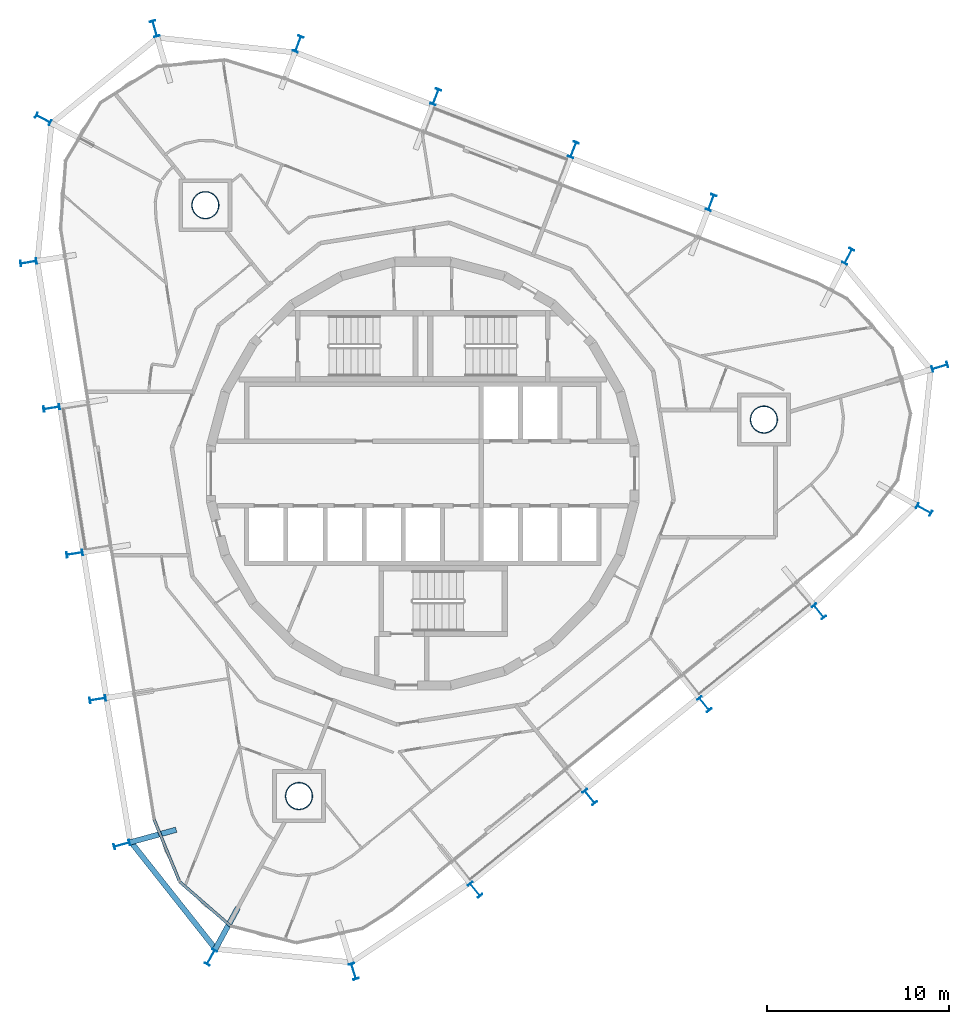
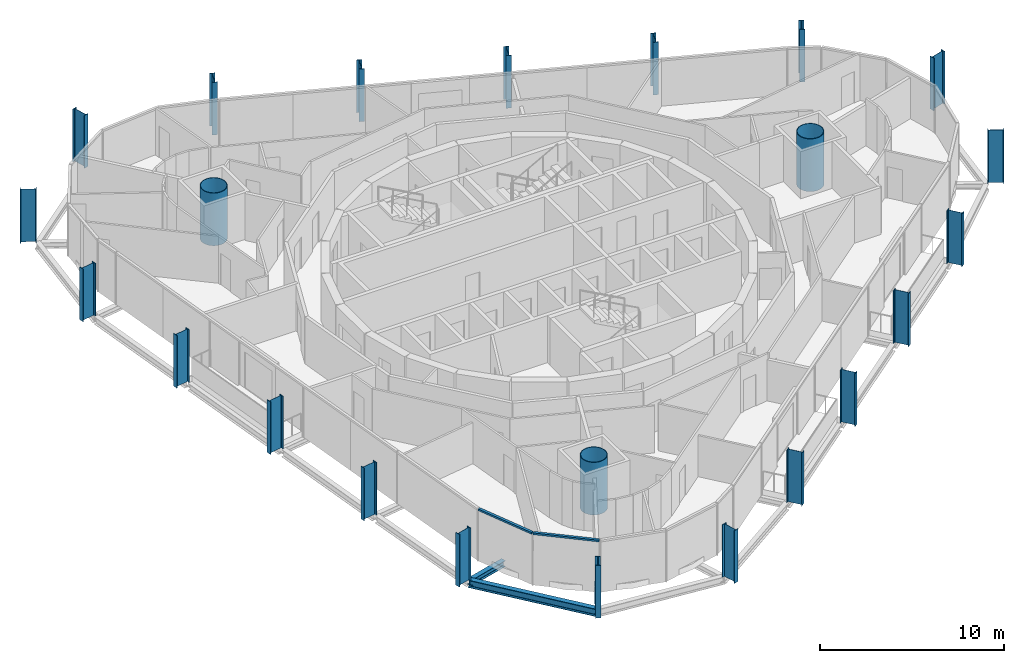
# One storey, part 1 of 17: 23 columns, 3 beams, 2 members, 1 element without a shape of its own.
"""IFC4 building model written with IfcOpenShell, lengths in metres."""

from ifc_helpers import new_model, si_unit, direction, frame, origin, origin_2d, place, context, subcontext, project, spatial, rectangle, hollow_circle, i_section, extrude, material, layer, layer_set, material_profile, profile_set, type_object, element, aggregate, save


model = new_model("IFC4")

# Units and contexts
model_context = context("Model", 3, precision=1e-05, world=origin(), true_north=direction((0.0, 1.0)))
body_context = subcontext(model_context, "Body", "Model", "MODEL_VIEW")
ifc_project = project(units=[si_unit("LENGTHUNIT", "METRE"), si_unit("AREAUNIT", "SQUARE_METRE"), si_unit("VOLUMEUNIT", "CUBIC_METRE"), si_unit("PLANEANGLEUNIT", "RADIAN"), si_unit("MASSUNIT", "GRAM", prefix="KILO")], contexts=[model_context])

# Site, building, storey
site_placement = place(None, origin())
site = spatial("IfcSite", under=ifc_project, at=site_placement, CompositionType="ELEMENT")
building_placement = place(site_placement, origin())
building = spatial("IfcBuilding", under=site, at=building_placement, Name="Spindle Arch Residences", CompositionType="ELEMENT")
storey_placement = place(building_placement, frame((0.0, 0.0, 270.39990234375)))
storey = spatial("IfcBuildingStorey", under=building, at=storey_placement, Name="L69", CompositionType="ELEMENT", Elevation=270.39990234375)

# Columns
ifc_material_1 = material(Name="Steel S460ML, intumescent coating R 240", Category="steel")
ifc_material_profile_1 = material_profile(ifc_material_1, i_section(OverallWidth=0.300048828125, OverallDepth=0.89990234375, WebThickness=0.0185546875, FlangeThickness=0.034912109375, FilletRadius=0.030029296875, at=origin_2d()), Name="HEB 900")
ifc_profile_set_1 = profile_set([ifc_material_profile_1], Name="Steel S460ML, intumescent coating R 240")
column_type_1 = type_object("IfcColumnType", Name="Exoskeleton post HEB 900", PredefinedType="COLUMN", material=ifc_profile_set_1)
for number, where, z_axis, x_axis, name in (
    (1, (15.48291015625, -12.67822265625, -0.3798828125), (0.0, 0.0, 1.0), (-0.777146167973, -0.629320136024, 0.0), "Exoskeleton post 1"),
    (2, (21.78369140625, -7.575927734375, -0.3798828125), (0.0, 0.0, 1.0), (-0.777146167973, -0.629320136024, 0.0), "Exoskeleton post 2"),
    (3, (27.56494140625, -1.975830078125, -0.3798828125), (0.0, 0.0, 1.0), (-0.489802299008, -0.871833532211, 0.0), "Exoskeleton post 3"),
    (4, (28.43505859375, 5.86767578125, -0.3798828125), (0.0, 0.0, 1.0), (0.286784074183, -0.957995247794, 0.0), "Exoskeleton post 4"),
    (5, (23.398193359375, 11.94287109375, -0.3798828125), (0.0, 0.0, 1.0), (0.888285893192, -0.45929094478, 0.0), "Exoskeleton post 5"),
    (6, (15.853515625, 14.9052734375, -0.3798828125), (0.0, 0.0, 1.0), (0.933580354843, -0.35836813621, 0.0), "Exoskeleton post 6"),
    (7, (8.2841796875, 17.810791015625, -0.3798828125), (0.0, 0.0, 1.0), (0.933580354843, -0.35836813621, 0.0), "Exoskeleton post 7"),
    (8, (0.715087890625, 20.71630859375, -0.3798828125), (0.0, 0.0, 1.0), (0.933580354843, -0.35836813621, 0.0), "Exoskeleton post 8"),
    (9, (-6.85400390625, 23.621826171875, -0.3798828125), (0.0, 0.0, 1.0), (0.933580354843, -0.35836813621, 0.0), "Exoskeleton post 9"),
    (10, (-14.7373046875, 24.468994140625, -0.3798828125), (0.0, 0.0, 1.0), (0.961245152333, 0.275695043693, 0.0), "Exoskeleton post 10"),
    (11, (-20.870361328125, 19.502685546875, -0.3798828125), (0.0, 0.0, 1.0), (0.469525073676, 0.882919138534, 0.0), "Exoskeleton post 11"),
    (12, (-21.6806640625, 11.615234375, -0.3798828125), (0.0, 0.0, 1.0), (-0.156434064006, 0.987688404113, 0.0), "Exoskeleton post 12"),
    (13, (-20.412353515625, 3.607666015625, -0.3798828125), (0.0, 0.0, 1.0), (-0.156434064006, 0.987688404113, 0.0), "Exoskeleton post 13"),
    (14, (-19.143798828125, -4.400146484375, -0.3798828125), (0.0, 0.0, 1.0), (-0.156434064006, 0.987688404113, 0.0), "Exoskeleton post 14"),
    (15, (-17.87548828125, -12.407958984375, -0.3798828125), (0.0, 0.0, 1.0), (-0.156434064006, 0.987688404113, 0.0), "Exoskeleton post 15"),
    (16, (-16.546630859375, -20.40380859375, -0.3798828125), (0.0, 0.0, 1.0), (-0.264568938302, 0.964366775084, 0.0), "Exoskeleton post 16"),
    (17, (-11.651611328125, -26.59375, -0.3798828125), (0.0, 0.0, 1.0), (-0.877434810632, 0.479695896472, 0.0), "Exoskeleton post 17"),
    (18, (-3.79833984375, -27.373291015625, -0.3798828125), (0.0, 0.0, 1.0), (-0.95461733225, -0.297835103654, 0.0), "Exoskeleton post 18"),
    (19, (2.88134765625, -22.8828125, -0.3798828125), (0.0, 0.0, 1.0), (-0.777146167973, -0.629320136024, 0.0), "Exoskeleton post 19"),
    (20, (9.18212890625, -17.780517578125, -0.3798828125), (0.0, 0.0, 1.0), (-0.777146167973, -0.629320136024, 0.0), "Exoskeleton post 20"),
):
    element("IfcColumn", number, at=place(storey_placement, frame(where, z_axis=z_axis, x_axis=x_axis)), inside=storey, type_object=column_type_1, Name=name, PredefinedType="COLUMN", context=body_context, shape_type="SweptSolid", body=[
        extrude(i_section(OverallWidth=0.300048828125, OverallDepth=0.89990234375, WebThickness=0.0185546875, FlangeThickness=0.034912109375, FilletRadius=0.030029296875, at=origin_2d()), origin(), (0.0, 0.0, 1.0), 3.5),
    ])
ifc_material_2 = material(Name="Concrete C50/60 filled steel tube S460ML, intumescent coating R 240", Category="concrete")
ifc_material_profile_2 = material_profile(ifc_material_2, hollow_circle(Radius=0.75, WallThickness=0.034912109375, at=origin_2d()), Name="CFT D1500x35")
ifc_profile_set_2 = profile_set([ifc_material_profile_2], Name="Concrete C50/60 filled steel tube S460ML, intumescent coating R 240")
column_type_2 = type_object("IfcColumnType", Name="Mega-column CFT D1500x35", PredefinedType="COLUMN", material=ifc_profile_set_2)
for number, where, z_axis, x_axis, name in (
    (21, (18.759521484375, 2.97119140625, -0.3798828125), (0.0, 0.0, 1.0), (1.0, 0.0, 0.0), "Mega-column 1"),
    (22, (-11.952880859375, 14.760498046875, -0.3798828125), (0.0, 0.0, 1.0), (1.0, 0.0, 0.0), "Mega-column 2"),
    (23, (-6.806640625, -17.731689453125, -0.3798828125), (0.0, 0.0, 1.0), (1.0, 0.0, 0.0), "Mega-column 3"),
):
    element("IfcColumn", number, at=place(storey_placement, frame(where, z_axis=z_axis, x_axis=x_axis)), inside=storey, type_object=column_type_2, Name=name, PredefinedType="COLUMN", context=body_context, shape_type="SweptSolid", body=[
        extrude(hollow_circle(Radius=0.75, WallThickness=0.034912109375, at=origin_2d()), origin(), (0.0, 0.0, 1.0), 3.5),
    ])

# Curtain wall, members
ifc_material_3 = material(Name="Aluminium bronze unitised frame with tinted glass", Category="aluminium")
ifc_layer = layer(ifc_material_3, 0.159912109375)
ifc_layer_set = layer_set([ifc_layer], Name="CW-D corner wall on the fillet arcs")
curtain_wall_type = type_object("IfcCurtainWallType", Name="CW-D corner wall on the fillet arcs", PredefinedType="NOTDEFINED", material=ifc_layer_set)
curtain_wall_placement = place(storey_placement, origin())
curtain_wall = element("IfcCurtainWall", 24, at=curtain_wall_placement, inside=storey, type_object=curtain_wall_type, Name="CW-D L69 run 5", PredefinedType="NOTDEFINED")
ifc_material_4 = material(Name="Aluminium bronze anodised transom", Category="aluminium")
ifc_material_profile_3 = material_profile(ifc_material_4, rectangle(XDim=0.159912109375, YDim=0.1201171875, at=origin_2d()), Name="TR 120x160")
ifc_profile_set_3 = profile_set([ifc_material_profile_3], Name="Aluminium bronze anodised transom")
member_type = type_object("IfcMemberType", Name="Bronze transom 120x160", PredefinedType="USERDEFINED", material=ifc_profile_set_3)
member_1_placement = place(storey_placement, frame((-14.775634765625, -19.0234375, 3.06005859375), z_axis=(0.379996173922, -0.924988058196, 0.0), x_axis=(0.924988058196, 0.379996173922, 0.0)))
member_1 = element("IfcMember", 25, at=member_1_placement, type_object=member_type, Name="CW-D transom 01", ObjectType="TRANSOM", PredefinedType="USERDEFINED", context=body_context, shape_type="SweptSolid", body=[
    extrude(rectangle(XDim=0.159912109375, YDim=0.1201171875, at=origin_2d()), origin(), (0.0, 0.0, 1.0), 3.666748046875),
])
member_2_placement = place(storey_placement, frame((-13.348388671875, -22.462646484375, 3.06005859375), z_axis=(0.754721618998, -0.656045179708, 0.0), x_axis=(0.656045179708, 0.754721618998, 0.0)))
member_2 = element("IfcMember", 26, at=member_2_placement, type_object=member_type, Name="CW-D transom 02", ObjectType="TRANSOM", PredefinedType="USERDEFINED", context=body_context, shape_type="SweptSolid", body=[
    extrude(rectangle(XDim=0.159912109375, YDim=0.1201171875, at=origin_2d()), origin(), (0.0, 0.0, 1.0), 3.666748046875),
])
aggregate(curtain_wall, [member_1, member_2])

# Beams
ifc_material_5 = material(Name="Steel S460ML, intumescent coating R 120", Category="steel")
ifc_material_profile_4 = material_profile(ifc_material_5, i_section(OverallWidth=0.300048828125, OverallDepth=0.5, WebThickness=0.014404296875, FlangeThickness=0.028076171875, FilletRadius=0.027099609375, at=origin_2d()), Name="HEB 500")
ifc_profile_set_4 = profile_set([ifc_material_profile_4], Name="Steel S460ML, intumescent coating R 120")
beam_type_1 = type_object("IfcBeamType", Name="Exoskeleton edge beam HEB 500", PredefinedType="BEAM", material=ifc_profile_set_4)
beam_1_placement = place(storey_placement, frame((-16.089599609375, -20.2080078125, -0.6298828125), z_axis=(0.62029234527, -0.784370707255, 0.0), x_axis=(0.784370707255, 0.62029234527, 0.0)))
element("IfcBeam", 27, at=beam_1_placement, inside=storey, type_object=beam_type_1, Name="Exoskeleton edge beam 16", PredefinedType="BEAM", context=body_context, shape_type="SweptSolid", body=[
    extrude(i_section(OverallWidth=0.300048828125, OverallDepth=0.5, WebThickness=0.014404296875, FlangeThickness=0.028076171875, FilletRadius=0.027099609375, at=origin_2d()), origin(), (0.0, 0.0, 1.0), 7.631591796875),
])
ifc_material_6 = material(Name="Steel S460ML, intumescent coating R 120", Category="steel")
ifc_material_profile_5 = material_profile(ifc_material_6, i_section(OverallWidth=0.300048828125, OverallDepth=0.389892578125, WebThickness=0.010986328125, FlangeThickness=0.01904296875, FilletRadius=0.027099609375, at=origin_2d()), Name="HEA 400")
ifc_profile_set_5 = profile_set([ifc_material_profile_5], Name="Steel S460ML, intumescent coating R 120")
beam_type_2 = type_object("IfcBeamType", Name="Floor outrigger HEA 400", PredefinedType="BEAM", material=ifc_profile_set_5)
beam_2_placement = place(storey_placement, frame((-16.11279296875, -20.28466796875, -0.574951171875), z_axis=(0.964363028022, 0.264582596148, 0.0), x_axis=(-0.264582596148, 0.964363028022, 0.0)))
element("IfcBeam", 28, at=beam_2_placement, inside=storey, type_object=beam_type_2, Name="Floor outrigger 16", PredefinedType="BEAM", context=body_context, shape_type="SweptSolid", body=[
    extrude(i_section(OverallWidth=0.300048828125, OverallDepth=0.389892578125, WebThickness=0.010986328125, FlangeThickness=0.01904296875, FilletRadius=0.027099609375, at=origin_2d()), origin(), (0.0, 0.0, 1.0), 2.650146484375),
])
beam_3_placement = place(storey_placement, frame((-11.435546875, -26.198974609375, -0.574951171875), z_axis=(0.479710393666, 0.877426884822, 0.0), x_axis=(-0.877426884822, 0.479710393666, 0.0)))
element("IfcBeam", 29, at=beam_3_placement, inside=storey, type_object=beam_type_2, Name="Floor outrigger 17", PredefinedType="BEAM", context=body_context, shape_type="SweptSolid", body=[
    extrude(i_section(OverallWidth=0.300048828125, OverallDepth=0.389892578125, WebThickness=0.010986328125, FlangeThickness=0.01904296875, FilletRadius=0.027099609375, at=origin_2d()), origin(), (0.0, 0.0, 1.0), 2.64990234375),
])

save(model, "model.ifc")
